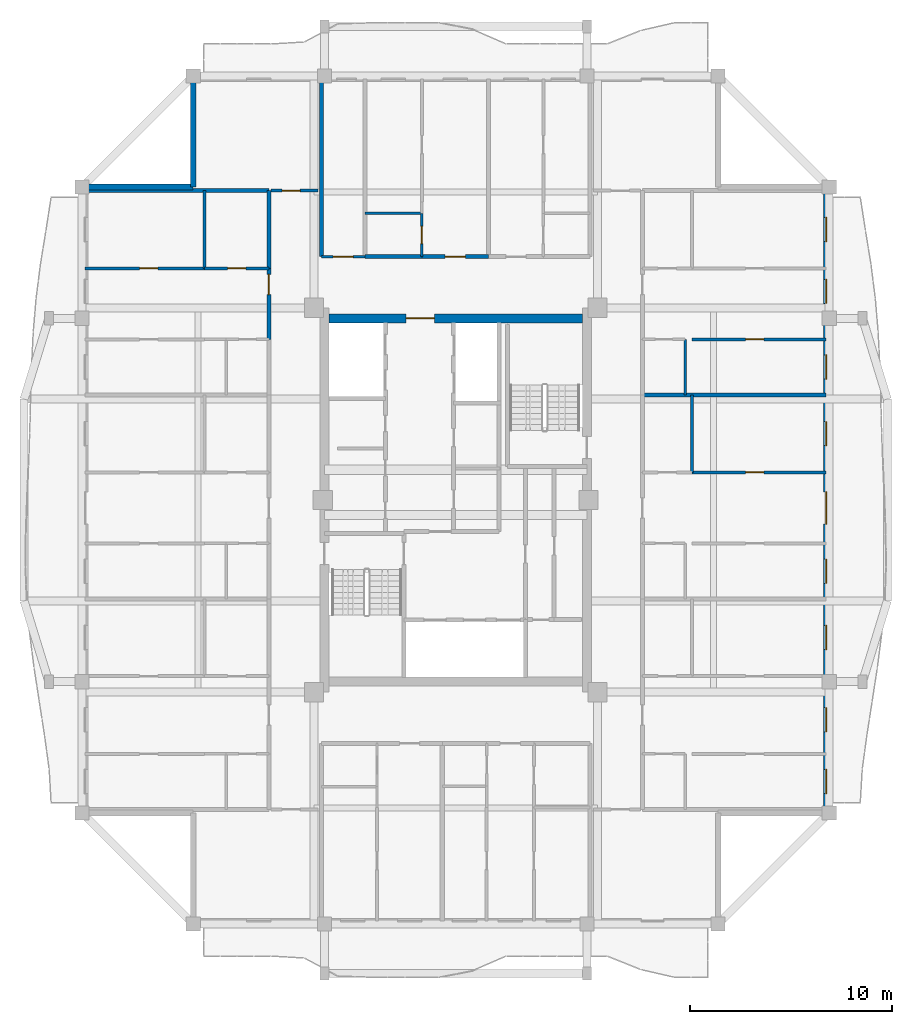
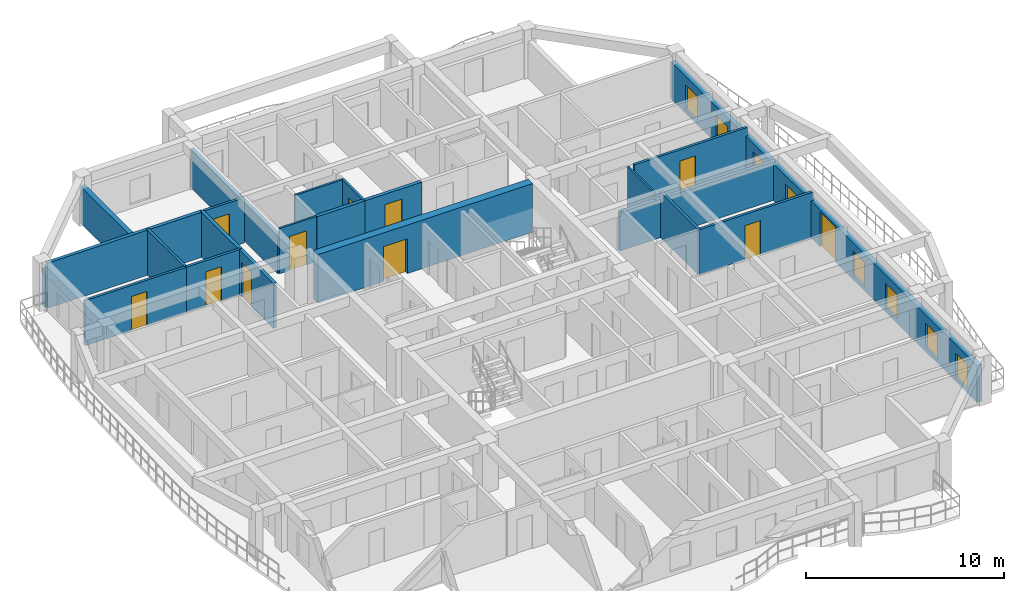
# One storey, part 6 of 14: 22 walls, 11 doors, 8 windows, 19 openings.
"""IFC4 building model written with IfcOpenShell, lengths in metres."""

from ifc_helpers import new_model, si_unit, direction, frame, frame_2d, origin, place, context, subcontext, project, spatial, rectangle, extrude, source, transform, mapped, material, layer, layer_set, type_object, element, fill, save


model = new_model("IFC4")

# Units and contexts
model_context = context("Model", 3, precision=1e-05, world=origin(), true_north=direction((0.0, 1.0)))
body_context = subcontext(model_context, "Body", "Model", "MODEL_VIEW")
ifc_project = project(units=[si_unit("LENGTHUNIT", "METRE"), si_unit("AREAUNIT", "SQUARE_METRE"), si_unit("VOLUMEUNIT", "CUBIC_METRE"), si_unit("PLANEANGLEUNIT", "RADIAN"), si_unit("MASSUNIT", "GRAM", prefix="KILO")], contexts=[model_context])

# Site, building, storey
site_placement = place(None, origin())
site = spatial("IfcSite", under=ifc_project, at=site_placement, CompositionType="ELEMENT")
building_placement = place(site_placement, origin())
building = spatial("IfcBuilding", under=site, at=building_placement, Name="Saelheon Loggia Tower", CompositionType="ELEMENT")
storey_placement = place(building_placement, frame((0.0, 0.0, 210.300048828125)))
storey = spatial("IfcBuildingStorey", under=building, at=storey_placement, Name="L65", CompositionType="ELEMENT", Elevation=210.300048828125)

# Wall, opening, door
ifc_material_1 = material(Name="Concrete C45/55", Category="concrete")
ifc_layer_1 = layer(ifc_material_1, 0.449951171875)
ifc_layer_set_1 = layer_set([ifc_layer_1], Name="Concrete C45/55")
wall_type_1 = type_object("IfcWallType", Name="Wall_CoreShear_450", PredefinedType="SHEAR", material=ifc_layer_set_1)
wall_1_placement = place(storey_placement, frame((31.72509765625, 36.0, 0.0), z_axis=(0.0, 0.0, 1.0), x_axis=(1.0, 0.0, 0.0)))
wall_1 = element("IfcWall", 1, at=wall_1_placement, inside=storey, type_object=wall_type_1, Name="L65 Core Shear Wall North", PredefinedType="SHEAR", context=body_context, shape_type="SweptSolid", body=[
    extrude(rectangle(XDim=12.5498046875, YDim=0.449951171875, at=frame_2d((6.27490234375, 0.0))), origin(), (0.0, 0.0, 1.0), 3.0),
])
opening_1_placement = place(wall_1_placement, frame((5.224853515625, 0.0, 0.0), z_axis=(0.0, 0.0, 1.0), x_axis=(-1.0, 0.0, 0.0)))
opening_1 = element("IfcOpeningElement", 2, at=opening_1_placement, cuts=wall_1, Name="Opening D-FD2L", PredefinedType="OPENING", context=body_context, shape_type="SweptSolid", body=[
    extrude(rectangle(XDim=1.39990234375, YDim=2.14990234375, at=frame_2d((0.699951171875, 1.074951171875))), frame((0.0, 0.237060546875, 0.0), z_axis=(0.0, -1.0, 0.0), x_axis=(1.0, 0.0, 0.0)), (0.0, 0.0, 1.0), 0.473876953125),
])
ifc_material_2 = material(Name="Galvanised Steel Glazed Lobby Fire Door", Category="steel")
door_type_1 = type_object("IfcDoorType", Name="Door_Fire_FD60_1400", OperationType="NOTDEFINED", PredefinedType="DOOR", material=ifc_material_2)
shared_shape_1 = source(origin(), body_context, "Body", "SweptSolid", [
    extrude(rectangle(XDim=1.39990234375, YDim=2.14990234375, at=frame_2d((0.699951171875, 1.074951171875))), frame((0.0, 0.02490234375, 0.0), z_axis=(0.0, -1.0, 0.0), x_axis=(1.0, 0.0, 0.0)), (0.0, 0.0, 1.0), 0.050048828125),
])
door_1_placement = place(opening_1_placement, origin())
door_1 = element("IfcDoor", 3, at=door_1_placement, inside=storey, type_object=door_type_1, Name="L65 Passenger Lift Lobby Main Door", OperationType="SINGLE_SWING_RIGHT", OverallHeight=2.14990234375, OverallWidth=1.39990234375, PredefinedType="DOOR", context=body_context, shape_type="MappedRepresentation", body=[
    mapped(shared_shape_1, transform((0.0, 0.0, 0.0), scale=1.0)),
])
fill(opening_1, door_1)

# Wall, openings, windows, door
ifc_material_3 = material(Name="Architectural Precast Concrete C40/50", Category="concrete")
ifc_layer_2 = layer(ifc_material_3, 0.280029296875)
ifc_layer_set_2 = layer_set([ifc_layer_2], Name="Architectural Precast Concrete C40/50")
wall_type_2 = type_object("IfcWallType", Name="Wall_Ext_Loggia_280", PredefinedType="SOLIDWALL", material=ifc_layer_set_2)
wall_2_placement = place(storey_placement, frame((56.360107421875, 11.5, 0.0), z_axis=(0.0, 0.0, 1.0), x_axis=(0.0, 1.0, 0.0)))
wall_2 = element("IfcWall", 4, at=wall_2_placement, inside=storey, type_object=wall_type_2, Name="L65 East Loggia Inner Wall", PredefinedType="SOLIDWALL", context=body_context, shape_type="SweptSolid", body=[
    extrude(rectangle(XDim=31.0, YDim=0.280029296875, at=frame_2d((15.5, 0.0))), origin(), (0.0, 0.0, 1.0), 2.280029296875),
])
opening_2_placement = place(wall_2_placement, frame((0.9599609375, 0.0, 0.25)))
opening_2 = element("IfcOpeningElement", 5, at=opening_2_placement, cuts=wall_2, Name="Opening WN-03", PredefinedType="OPENING", context=body_context, shape_type="SweptSolid", body=[
    extrude(rectangle(XDim=1.199951171875, YDim=1.5, at=frame_2d((0.60009765625, 0.75))), frame((0.0, 0.152099609375, 0.0), z_axis=(0.0, -1.0, 0.0), x_axis=(1.0, 0.0, 0.0)), (0.0, 0.0, 1.0), 0.303955078125),
])
opening_3_placement = place(wall_2_placement, frame((4.02001953125, 0.0, 0.25)))
opening_3 = element("IfcOpeningElement", 6, at=opening_3_placement, cuts=wall_2, Name="Opening WN-03", PredefinedType="OPENING", context=body_context, shape_type="SweptSolid", body=[
    extrude(rectangle(XDim=1.199951171875, YDim=1.5, at=frame_2d((0.60009765625, 0.75))), frame((0.0, 0.152099609375, 0.0), z_axis=(0.0, -1.0, 0.0), x_axis=(1.0, 0.0, 0.0)), (0.0, 0.0, 1.0), 0.303955078125),
])
opening_4_placement = place(wall_2_placement, frame((8.0888671875, 0.0, 0.25)))
opening_4 = element("IfcOpeningElement", 7, at=opening_4_placement, cuts=wall_2, Name="Opening WN-03", PredefinedType="OPENING", context=body_context, shape_type="SweptSolid", body=[
    extrude(rectangle(XDim=1.199951171875, YDim=1.5, at=frame_2d((0.60009765625, 0.75))), frame((0.0, 0.152099609375, 0.0), z_axis=(0.0, -1.0, 0.0), x_axis=(1.0, 0.0, 0.0)), (0.0, 0.0, 1.0), 0.303955078125),
])
opening_5_placement = place(wall_2_placement, frame((11.37255859375, 0.0, 0.25)))
opening_5 = element("IfcOpeningElement", 8, at=opening_5_placement, cuts=wall_2, Name="Opening WN-03", PredefinedType="OPENING", context=body_context, shape_type="SweptSolid", body=[
    extrude(rectangle(XDim=1.199951171875, YDim=1.5, at=frame_2d((0.60009765625, 0.75))), frame((0.0, 0.152099609375, 0.0), z_axis=(0.0, -1.0, 0.0), x_axis=(1.0, 0.0, 0.0)), (0.0, 0.0, 1.0), 0.303955078125),
])
opening_6_placement = place(wall_2_placement, frame((15.906982421875, 0.0, 0.0), z_axis=(0.0, 0.0, 1.0), x_axis=(-1.0, 0.0, 0.0)))
opening_6 = element("IfcOpeningElement", 9, at=opening_6_placement, cuts=wall_2, Name="Opening DLG-1", PredefinedType="OPENING", context=body_context, shape_type="SweptSolid", body=[
    extrude(rectangle(XDim=1.60009765625, YDim=2.14990234375, at=frame_2d((0.800048828125, 1.074951171875))), frame((0.0, 0.152099609375, 0.0), z_axis=(0.0, -1.0, 0.0), x_axis=(1.0, 0.0, 0.0)), (0.0, 0.0, 1.0), 0.303955078125),
])
opening_7_placement = place(wall_2_placement, frame((18.1875, 0.0, 0.25)))
opening_7 = element("IfcOpeningElement", 10, at=opening_7_placement, cuts=wall_2, Name="Opening WN-03", PredefinedType="OPENING", context=body_context, shape_type="SweptSolid", body=[
    extrude(rectangle(XDim=1.199951171875, YDim=1.5, at=frame_2d((0.60009765625, 0.75))), frame((0.0, 0.152099609375, 0.0), z_axis=(0.0, -1.0, 0.0), x_axis=(1.0, 0.0, 0.0)), (0.0, 0.0, 1.0), 0.303955078125),
])
opening_8_placement = place(wall_2_placement, frame((21.48388671875, 0.0, 0.25)))
opening_8 = element("IfcOpeningElement", 11, at=opening_8_placement, cuts=wall_2, Name="Opening WN-03", PredefinedType="OPENING", context=body_context, shape_type="SweptSolid", body=[
    extrude(rectangle(XDim=1.199951171875, YDim=1.5, at=frame_2d((0.60009765625, 0.75))), frame((0.0, 0.152099609375, 0.0), z_axis=(0.0, -1.0, 0.0), x_axis=(1.0, 0.0, 0.0)), (0.0, 0.0, 1.0), 0.303955078125),
])
opening_9_placement = place(wall_2_placement, frame((25.23388671875, 0.0, 0.25)))
opening_9 = element("IfcOpeningElement", 12, at=opening_9_placement, cuts=wall_2, Name="Opening WN-03", PredefinedType="OPENING", context=body_context, shape_type="SweptSolid", body=[
    extrude(rectangle(XDim=1.199951171875, YDim=1.5, at=frame_2d((0.60009765625, 0.75))), frame((0.0, 0.152099609375, 0.0), z_axis=(0.0, -1.0, 0.0), x_axis=(1.0, 0.0, 0.0)), (0.0, 0.0, 1.0), 0.303955078125),
])
opening_10_placement = place(wall_2_placement, frame((28.293701171875, 0.0, 0.25)))
opening_10 = element("IfcOpeningElement", 13, at=opening_10_placement, cuts=wall_2, Name="Opening WN-03", PredefinedType="OPENING", context=body_context, shape_type="SweptSolid", body=[
    extrude(rectangle(XDim=1.199951171875, YDim=1.5, at=frame_2d((0.60009765625, 0.75))), frame((0.0, 0.152099609375, 0.0), z_axis=(0.0, -1.0, 0.0), x_axis=(1.0, 0.0, 0.0)), (0.0, 0.0, 1.0), 0.303955078125),
])
ifc_material_4 = material(Name="Thermal-Break Aluminium and Triple Low-E Glass", Category="aluminium")
window_type = type_object("IfcWindowType", Name="Win_Bedroom_1200x1500", PartitioningType="SINGLE_PANEL", PredefinedType="WINDOW", material=ifc_material_4)
shared_shape_2 = source(origin(), body_context, "Body", "SweptSolid", [
    extrude(rectangle(XDim=1.199951171875, YDim=1.5, at=frame_2d((0.60009765625, 0.75))), frame((0.0, 0.030029296875, 0.0), z_axis=(0.0, -1.0, 0.0), x_axis=(1.0, 0.0, 0.0)), (0.0, 0.0, 1.0), 0.06005859375),
])
window_1_placement = place(opening_2_placement, origin())
window_1 = element("IfcWindow", 14, at=window_1_placement, inside=storey, type_object=window_type, Name="L65 E Dwelling Window 1", OverallHeight=1.5, OverallWidth=1.199951171875, PartitioningType="SINGLE_PANEL", PredefinedType="WINDOW", context=body_context, shape_type="MappedRepresentation", body=[
    mapped(shared_shape_2, transform((0.0, 0.0, 0.0), scale=1.0)),
])
fill(opening_2, window_1)
window_2_placement = place(opening_3_placement, origin())
window_2 = element("IfcWindow", 15, at=window_2_placement, inside=storey, type_object=window_type, Name="L65 E Dwelling Window 2", OverallHeight=1.5, OverallWidth=1.199951171875, PartitioningType="SINGLE_PANEL", PredefinedType="WINDOW", context=body_context, shape_type="MappedRepresentation", body=[
    mapped(shared_shape_2, transform((0.0, 0.0, 0.0), scale=1.0)),
])
fill(opening_3, window_2)
window_3_placement = place(opening_4_placement, origin())
window_3 = element("IfcWindow", 16, at=window_3_placement, inside=storey, type_object=window_type, Name="L65 E Dwelling Window 3", OverallHeight=1.5, OverallWidth=1.199951171875, PartitioningType="SINGLE_PANEL", PredefinedType="WINDOW", context=body_context, shape_type="MappedRepresentation", body=[
    mapped(shared_shape_2, transform((0.0, 0.0, 0.0), scale=1.0)),
])
fill(opening_4, window_3)
window_4_placement = place(opening_5_placement, origin())
window_4 = element("IfcWindow", 17, at=window_4_placement, inside=storey, type_object=window_type, Name="L65 E Dwelling Window 4", OverallHeight=1.5, OverallWidth=1.199951171875, PartitioningType="SINGLE_PANEL", PredefinedType="WINDOW", context=body_context, shape_type="MappedRepresentation", body=[
    mapped(shared_shape_2, transform((0.0, 0.0, 0.0), scale=1.0)),
])
fill(opening_5, window_4)
window_5_placement = place(opening_7_placement, origin())
window_5 = element("IfcWindow", 18, at=window_5_placement, inside=storey, type_object=window_type, Name="L65 E Dwelling Window 6", OverallHeight=1.5, OverallWidth=1.199951171875, PartitioningType="SINGLE_PANEL", PredefinedType="WINDOW", context=body_context, shape_type="MappedRepresentation", body=[
    mapped(shared_shape_2, transform((0.0, 0.0, 0.0), scale=1.0)),
])
fill(opening_7, window_5)
window_6_placement = place(opening_8_placement, origin())
window_6 = element("IfcWindow", 19, at=window_6_placement, inside=storey, type_object=window_type, Name="L65 E Dwelling Window 7", OverallHeight=1.5, OverallWidth=1.199951171875, PartitioningType="SINGLE_PANEL", PredefinedType="WINDOW", context=body_context, shape_type="MappedRepresentation", body=[
    mapped(shared_shape_2, transform((0.0, 0.0, 0.0), scale=1.0)),
])
fill(opening_8, window_6)
window_7_placement = place(opening_9_placement, origin())
window_7 = element("IfcWindow", 20, at=window_7_placement, inside=storey, type_object=window_type, Name="L65 E Dwelling Window 8", OverallHeight=1.5, OverallWidth=1.199951171875, PartitioningType="SINGLE_PANEL", PredefinedType="WINDOW", context=body_context, shape_type="MappedRepresentation", body=[
    mapped(shared_shape_2, transform((0.0, 0.0, 0.0), scale=1.0)),
])
fill(opening_9, window_7)
window_8_placement = place(opening_10_placement, origin())
window_8 = element("IfcWindow", 21, at=window_8_placement, inside=storey, type_object=window_type, Name="L65 E Dwelling Window 9", OverallHeight=1.5, OverallWidth=1.199951171875, PartitioningType="SINGLE_PANEL", PredefinedType="WINDOW", context=body_context, shape_type="MappedRepresentation", body=[
    mapped(shared_shape_2, transform((0.0, 0.0, 0.0), scale=1.0)),
])
fill(opening_10, window_8)
ifc_material_5 = material(Name="Thermal-Break Aluminium Sliding Glazed Door", Category="aluminium")
door_type_2 = type_object("IfcDoorType", Name="Door_LoggiaSlide_1600", OperationType="SLIDING_TO_LEFT", PredefinedType="DOOR", material=ifc_material_5)
shared_shape_3 = source(origin(), body_context, "Body", "SweptSolid", [
    extrude(rectangle(XDim=1.60009765625, YDim=2.14990234375, at=frame_2d((0.800048828125, 1.074951171875))), frame((0.0, 0.02490234375, 0.0), z_axis=(0.0, -1.0, 0.0), x_axis=(1.0, 0.0, 0.0)), (0.0, 0.0, 1.0), 0.050048828125),
])
door_2_placement = place(opening_6_placement, origin())
door_2 = element("IfcDoor", 22, at=door_2_placement, inside=storey, type_object=door_type_2, Name="L65 E Loggia Access Door", OperationType="SLIDING_TO_LEFT", OverallHeight=2.14990234375, OverallWidth=1.60009765625, PredefinedType="DOOR", context=body_context, shape_type="MappedRepresentation", body=[
    mapped(shared_shape_3, transform((0.0, 0.0, 0.0), scale=1.0)),
])
fill(opening_6, door_2)

# Walls
for number, where, z_axis, x_axis, name in (
    (23, (25.0, 42.5, 0.0), (0.0, 0.0, 1.0), (0.0, 1.0, 0.0), "L65 Corner Notch Precast Wall NW1"),
    (24, (19.580078125, 42.5, 0.0), (0.0, 0.0, 1.0), (1.0, 0.0, 0.0), "L65 Corner Notch Precast Wall NW2"),
):
    element("IfcWall", number, at=place(storey_placement, frame(where, z_axis=z_axis, x_axis=x_axis)), inside=storey, type_object=wall_type_2, Name=name, PredefinedType="SOLIDWALL", context=body_context, shape_type="SweptSolid", body=[
        extrude(rectangle(XDim=5.419921875, YDim=0.280029296875, at=frame_2d((2.7099609375, 0.0))), origin(), (0.0, 0.0, 1.0), 2.280029296875),
    ])

# Wall, opening, door
ifc_material_6 = material(Name="Lightweight Autoclaved Aerated Concrete Block and Acoustic Gypsum", Category="concrete")
ifc_layer_3 = layer(ifc_material_6, 0.14990234375)
ifc_layer_set_3 = layer_set([ifc_layer_3], Name="Lightweight Autoclaved Aerated Concrete Block and Acoustic Gypsum")
wall_type_3 = type_object("IfcWallType", Name="Wall_Part_150", PredefinedType="PARTITIONING", material=ifc_layer_set_3)
wall_3_placement = place(storey_placement, frame((28.85009765625, 42.320068359375, 0.0), z_axis=(0.0, 0.0, 1.0), x_axis=(1.0, 0.0, 0.0)))
wall_3 = element("IfcWall", 25, at=wall_3_placement, inside=storey, type_object=wall_type_3, Name="PW-L65-CNW-H", PredefinedType="PARTITIONING", context=body_context, shape_type="SweptSolid", body=[
    extrude(rectangle(XDim=2.329833984375, YDim=0.14990234375, at=frame_2d((1.1650390625, 0.0))), origin(), (0.0, 0.0, 1.0), 2.7900390625),
])
opening_11_placement = place(wall_3_placement, frame((0.550048828125, 0.0, 0.0)))
opening_11 = element("IfcOpeningElement", 26, at=opening_11_placement, cuts=wall_3, Name="Opening D-IN2", PredefinedType="OPENING", context=body_context, shape_type="SweptSolid", body=[
    extrude(rectangle(XDim=0.89990234375, YDim=2.10009765625, at=frame_2d((0.449951171875, 1.050048828125))), frame((0.0, 0.0869140625, 0.0), z_axis=(0.0, -1.0, 0.0), x_axis=(1.0, 0.0, 0.0)), (0.0, 0.0, 1.0), 0.173828125),
])
ifc_material_7 = material(Name="Engineered Oak Flush Door", Category="timber")
door_type_3 = type_object("IfcDoorType", Name="Door_Int_900", OperationType="NOTDEFINED", PredefinedType="DOOR", material=ifc_material_7)
shared_shape_4 = source(origin(), body_context, "Body", "SweptSolid", [
    extrude(rectangle(XDim=0.89990234375, YDim=2.10009765625, at=frame_2d((0.449951171875, 1.050048828125))), frame((0.0, 0.02490234375, 0.0), z_axis=(0.0, -1.0, 0.0), x_axis=(1.0, 0.0, 0.0)), (0.0, 0.0, 1.0), 0.050048828125),
])
door_3_placement = place(opening_11_placement, origin())
door_3 = element("IfcDoor", 27, at=door_3_placement, inside=storey, type_object=door_type_3, Name="L65 Corner Home Office NW Door", OperationType="SINGLE_SWING_LEFT", OverallHeight=2.10009765625, OverallWidth=0.89990234375, PredefinedType="DOOR", context=body_context, shape_type="MappedRepresentation", body=[
    mapped(shared_shape_4, transform((0.0, 0.0, 0.0), scale=1.0)),
])
fill(opening_11, door_3)

# Wall
wall_4_placement = place(storey_placement, frame((25.570068359375, 38.477783203125, 0.0), z_axis=(0.0, 0.0, 1.0), x_axis=(0.0, 1.0, 0.0)))
element("IfcWall", 28, at=wall_4_placement, inside=storey, type_object=wall_type_3, Name="L65 W Partition V29", PredefinedType="PARTITIONING", context=body_context, shape_type="SweptSolid", body=[
    extrude(rectangle(XDim=3.84228515625, YDim=0.14990234375, at=frame_2d((1.921142578125, 0.0))), origin(), (0.0, 0.0, 1.0), 2.7900390625),
])

# Wall, opening, door
wall_5_placement = place(storey_placement, frame((28.75, 38.477783203125, 0.0), z_axis=(0.0, 0.0, 1.0), x_axis=(-1.0, 0.0, 0.0)))
wall_5 = element("IfcWall", 29, at=wall_5_placement, inside=storey, type_object=wall_type_3, Name="L65 W Partition U33", PredefinedType="PARTITIONING", context=body_context, shape_type="SweptSolid", body=[
    extrude(rectangle(XDim=3.179931640625, YDim=0.14990234375, at=frame_2d((1.58984375, 0.0))), origin(), (0.0, 0.0, 1.0), 2.7900390625),
])
opening_12_placement = place(wall_5_placement, frame((1.139892578125, 0.0, 0.0)))
opening_12 = element("IfcOpeningElement", 30, at=opening_12_placement, cuts=wall_5, Name="Opening D-IN2", PredefinedType="OPENING", context=body_context, shape_type="SweptSolid", body=[
    extrude(rectangle(XDim=0.89990234375, YDim=2.10009765625, at=frame_2d((0.449951171875, 1.050048828125))), frame((0.0, 0.0869140625, 0.0), z_axis=(0.0, -1.0, 0.0), x_axis=(1.0, 0.0, 0.0)), (0.0, 0.0, 1.0), 0.173828125),
])
door_4_placement = place(opening_12_placement, origin())
door_4 = element("IfcDoor", 31, at=door_4_placement, inside=storey, type_object=door_type_3, Name="Unit U07 Dressing Closet Door", OperationType="SINGLE_SWING_RIGHT", OverallHeight=2.10009765625, OverallWidth=0.89990234375, PredefinedType="DOOR", context=body_context, shape_type="MappedRepresentation", body=[
    mapped(shared_shape_4, transform((0.0, 0.0, 0.0), scale=1.0)),
])
fill(opening_12, door_4)

wall_6_placement = place(storey_placement, frame((25.570068359375, 38.477783203125, 0.0), z_axis=(0.0, 0.0, 1.0), x_axis=(-1.0, 0.0, 0.0)))
wall_6 = element("IfcWall", 32, at=wall_6_placement, inside=storey, type_object=wall_type_3, Name="L65 W Partition U34", PredefinedType="PARTITIONING", context=body_context, shape_type="SweptSolid", body=[
    extrude(rectangle(XDim=5.920166015625, YDim=0.14990234375, at=frame_2d((2.9599609375, 0.0))), origin(), (0.0, 0.0, 1.0), 2.7900390625),
])
opening_13_placement = place(wall_6_placement, frame((2.32080078125, 0.0, 0.0)))
opening_13 = element("IfcOpeningElement", 33, at=opening_13_placement, cuts=wall_6, Name="Opening D-IN2", PredefinedType="OPENING", context=body_context, shape_type="SweptSolid", body=[
    extrude(rectangle(XDim=0.89990234375, YDim=2.10009765625, at=frame_2d((0.449951171875, 1.050048828125))), frame((0.0, 0.0869140625, 0.0), z_axis=(0.0, -1.0, 0.0), x_axis=(1.0, 0.0, 0.0)), (0.0, 0.0, 1.0), 0.173828125),
])
door_5_placement = place(opening_13_placement, origin())
door_5 = element("IfcDoor", 34, at=door_5_placement, inside=storey, type_object=door_type_3, Name="Unit U07 Bedroom 1 Door", OperationType="SINGLE_SWING_LEFT", OverallHeight=2.10009765625, OverallWidth=0.89990234375, PredefinedType="DOOR", context=body_context, shape_type="MappedRepresentation", body=[
    mapped(shared_shape_4, transform((0.0, 0.0, 0.0), scale=1.0)),
])
fill(opening_13, door_5)

# Wall
wall_7_placement = place(storey_placement, frame((49.7099609375, 28.366455078125, 0.0), z_axis=(0.0, 0.0, 1.0), x_axis=(0.0, 1.0, 0.0)))
element("IfcWall", 35, at=wall_7_placement, inside=storey, type_object=wall_type_3, Name="L65 E Partition V17", PredefinedType="PARTITIONING", context=body_context, shape_type="SweptSolid", body=[
    extrude(rectangle(XDim=3.84228515625, YDim=0.14990234375, at=frame_2d((1.921142578125, 0.0))), origin(), (0.0, 0.0, 1.0), 2.7900390625),
])

# Wall, opening, door
wall_8_placement = place(storey_placement, frame((49.7099609375, 28.366455078125, 0.0), z_axis=(0.0, 0.0, 1.0), x_axis=(1.0, 0.0, 0.0)))
wall_8 = element("IfcWall", 36, at=wall_8_placement, inside=storey, type_object=wall_type_3, Name="L65 E Partition U21", PredefinedType="PARTITIONING", context=body_context, shape_type="SweptSolid", body=[
    extrude(rectangle(XDim=6.64013671875, YDim=0.14990234375, at=frame_2d((3.320068359375, 0.0))), origin(), (0.0, 0.0, 1.0), 2.7900390625),
])
opening_14_placement = place(wall_8_placement, frame((2.65087890625, 0.0, 0.0)))
opening_14 = element("IfcOpeningElement", 37, at=opening_14_placement, cuts=wall_8, Name="Opening D-IN2", PredefinedType="OPENING", context=body_context, shape_type="SweptSolid", body=[
    extrude(rectangle(XDim=0.89990234375, YDim=2.10009765625, at=frame_2d((0.449951171875, 1.050048828125))), frame((0.0, 0.0869140625, 0.0), z_axis=(0.0, -1.0, 0.0), x_axis=(1.0, 0.0, 0.0)), (0.0, 0.0, 1.0), 0.173828125),
])
door_6_placement = place(opening_14_placement, origin())
door_6 = element("IfcDoor", 38, at=door_6_placement, inside=storey, type_object=door_type_3, Name="Unit U09 Bedroom 1 Door", OperationType="SINGLE_SWING_LEFT", OverallHeight=2.10009765625, OverallWidth=0.89990234375, PredefinedType="DOOR", context=body_context, shape_type="MappedRepresentation", body=[
    mapped(shared_shape_4, transform((0.0, 0.0, 0.0), scale=1.0)),
])
fill(opening_14, door_6)

wall_9_placement = place(storey_placement, frame((49.7099609375, 34.958740234375, 0.0), z_axis=(0.0, 0.0, 1.0), x_axis=(1.0, 0.0, 0.0)))
wall_9 = element("IfcWall", 39, at=wall_9_placement, inside=storey, type_object=wall_type_3, Name="L65 E Partition U29", PredefinedType="PARTITIONING", context=body_context, shape_type="SweptSolid", body=[
    extrude(rectangle(XDim=6.64013671875, YDim=0.14990234375, at=frame_2d((3.320068359375, 0.0))), origin(), (0.0, 0.0, 1.0), 2.7900390625),
])
opening_15_placement = place(wall_9_placement, frame((2.65087890625, 0.0, 0.0)))
opening_15 = element("IfcOpeningElement", 40, at=opening_15_placement, cuts=wall_9, Name="Opening D-IN2", PredefinedType="OPENING", context=body_context, shape_type="SweptSolid", body=[
    extrude(rectangle(XDim=0.89990234375, YDim=2.10009765625, at=frame_2d((0.449951171875, 1.050048828125))), frame((0.0, 0.0869140625, 0.0), z_axis=(0.0, -1.0, 0.0), x_axis=(1.0, 0.0, 0.0)), (0.0, 0.0, 1.0), 0.173828125),
])
door_7_placement = place(opening_15_placement, origin())
door_7 = element("IfcDoor", 41, at=door_7_placement, inside=storey, type_object=door_type_3, Name="Unit U10 Kitchen Door", OperationType="SINGLE_SWING_RIGHT", OverallHeight=2.10009765625, OverallWidth=0.89990234375, PredefinedType="DOOR", context=body_context, shape_type="MappedRepresentation", body=[
    mapped(shared_shape_4, transform((0.0, 0.0, 0.0), scale=1.0)),
])
fill(opening_15, door_7)

# Walls
ifc_material_8 = material(Name="Double Acoustic Stud and Fireboard Partition", Category="gypsum")
ifc_layer_4 = layer(ifc_material_8, 0.199951171875)
ifc_layer_set_4 = layer_set([ifc_layer_4], Name="Double Acoustic Stud and Fireboard Partition")
wall_type_4 = type_object("IfcWallType", Name="Wall_Party_200", PredefinedType="PARTITIONING", material=ifc_layer_set_4)
wall_10_placement = place(storey_placement, frame((31.35009765625, 39.050048828125, 0.0), z_axis=(0.0, 0.0, 1.0), x_axis=(0.0, 1.0, 0.0)))
element("IfcWall", 42, at=wall_10_placement, inside=storey, type_object=wall_type_4, Name="L65 N Partition U01", PredefinedType="PARTITIONING", context=body_context, shape_type="SweptSolid", body=[
    extrude(rectangle(XDim=8.800048828125, YDim=0.199951171875, at=frame_2d((4.39990234375, 0.0))), origin(), (0.0, 0.0, 1.0), 2.389892578125),
])
wall_11_placement = place(storey_placement, frame((33.5, 39.050048828125, 0.0), z_axis=(0.0, 0.0, 1.0), x_axis=(1.0, 0.0, 0.0)))
element("IfcWall", 43, at=wall_11_placement, inside=storey, type_object=wall_type_4, Name="L65 N Partition V05", PredefinedType="PARTITIONING", context=body_context, shape_type="SweptSolid", body=[
    extrude(rectangle(XDim=2.821044921875, YDim=0.199951171875, at=frame_2d((1.41064453125, 0.0))), origin(), (0.0, 0.0, 1.0), 2.7900390625),
])

# Wall, opening, door
wall_12_placement = place(storey_placement, frame((36.321044921875, 39.050048828125, 0.0), z_axis=(0.0, 0.0, 1.0), x_axis=(1.0, 0.0, 0.0)))
wall_12 = element("IfcWall", 44, at=wall_12_placement, inside=storey, type_object=wall_type_4, Name="L65 N Partition V06", PredefinedType="PARTITIONING", context=body_context, shape_type="SweptSolid", body=[
    extrude(rectangle(XDim=3.3115234375, YDim=0.199951171875, at=frame_2d((1.65576171875, 0.0))), origin(), (0.0, 0.0, 1.0), 2.7900390625),
])
opening_16_placement = place(wall_12_placement, frame((1.15576171875, 0.0, 0.0)))
opening_16 = element("IfcOpeningElement", 45, at=opening_16_placement, cuts=wall_12, Name="Opening D-FD1", PredefinedType="OPENING", context=body_context, shape_type="SweptSolid", body=[
    extrude(rectangle(XDim=1.0, YDim=2.14990234375, at=frame_2d((0.5, 1.074951171875))), frame((0.0, 0.112060546875, 0.0), z_axis=(0.0, -1.0, 0.0), x_axis=(1.0, 0.0, 0.0)), (0.0, 0.0, 1.0), 0.223876953125),
])
ifc_material_9 = material(Name="Fire-Rated Engineered Timber Entrance Door", Category="wood")
door_type_4 = type_object("IfcDoorType", Name="Door_Flat_FD30S", OperationType="NOTDEFINED", PredefinedType="DOOR", material=ifc_material_9)
shared_shape_5 = source(origin(), body_context, "Body", "SweptSolid", [
    extrude(rectangle(XDim=1.0, YDim=2.14990234375, at=frame_2d((0.5, 1.074951171875))), frame((0.0, 0.02490234375, 0.0), z_axis=(0.0, -1.0, 0.0), x_axis=(1.0, 0.0, 0.0)), (0.0, 0.0, 1.0), 0.050048828125),
])
door_8_placement = place(opening_16_placement, origin())
door_8 = element("IfcDoor", 46, at=door_8_placement, inside=storey, type_object=door_type_4, Name="Unit U03 Entrance Door", OperationType="SINGLE_SWING_LEFT", OverallHeight=2.14990234375, OverallWidth=1.0, PredefinedType="DOOR", context=body_context, shape_type="MappedRepresentation", body=[
    mapped(shared_shape_5, transform((0.0, 0.0, 0.0), scale=1.0)),
])
fill(opening_16, door_8)

# Wall
wall_13_placement = place(storey_placement, frame((28.75, 42.320068359375, 0.0), z_axis=(0.0, 0.0, 1.0), x_axis=(-1.0, 0.0, 0.0)))
element("IfcWall", 47, at=wall_13_placement, inside=storey, type_object=wall_type_4, Name="L65 W Partition U02", PredefinedType="PARTITIONING", context=body_context, shape_type="SweptSolid", body=[
    extrude(rectangle(XDim=9.10009765625, YDim=0.199951171875, at=frame_2d((4.550048828125, 0.0))), origin(), (0.0, 0.0, 1.0), 2.7900390625),
])

# Wall, opening, door
wall_14_placement = place(storey_placement, frame((28.75, 34.958740234375, 0.0), z_axis=(0.0, 0.0, 1.0), x_axis=(0.0, 1.0, 0.0)))
wall_14 = element("IfcWall", 48, at=wall_14_placement, inside=storey, type_object=wall_type_4, Name="L65 W Partition V26", PredefinedType="PARTITIONING", context=body_context, shape_type="SweptSolid", body=[
    extrude(rectangle(XDim=3.51904296875, YDim=0.199951171875, at=frame_2d((1.759521484375, 0.0))), origin(), (0.0, 0.0, 1.0), 2.7900390625),
])
opening_17_placement = place(wall_14_placement, frame((2.21728515625, 0.0, 0.0)))
opening_17 = element("IfcOpeningElement", 49, at=opening_17_placement, cuts=wall_14, Name="Opening D-FD1", PredefinedType="OPENING", context=body_context, shape_type="SweptSolid", body=[
    extrude(rectangle(XDim=1.0, YDim=2.14990234375, at=frame_2d((0.5, 1.074951171875))), frame((0.0, 0.112060546875, 0.0), z_axis=(0.0, -1.0, 0.0), x_axis=(1.0, 0.0, 0.0)), (0.0, 0.0, 1.0), 0.223876953125),
])
door_9_placement = place(opening_17_placement, origin())
door_9 = element("IfcDoor", 50, at=door_9_placement, inside=storey, type_object=door_type_4, Name="Unit U07 Entrance Door", OperationType="SINGLE_SWING_LEFT", OverallHeight=2.14990234375, OverallWidth=1.0, PredefinedType="DOOR", context=body_context, shape_type="MappedRepresentation", body=[
    mapped(shared_shape_5, transform((0.0, 0.0, 0.0), scale=1.0)),
])
fill(opening_17, door_9)

# Walls
wall_15_placement = place(storey_placement, frame((28.75, 38.477783203125, 0.0), z_axis=(0.0, 0.0, 1.0), x_axis=(0.0, 1.0, 0.0)))
element("IfcWall", 51, at=wall_15_placement, inside=storey, type_object=wall_type_4, Name="L65 W Partition V27", PredefinedType="PARTITIONING", context=body_context, shape_type="SweptSolid", body=[
    extrude(rectangle(XDim=3.84228515625, YDim=0.199951171875, at=frame_2d((1.921142578125, 0.0))), origin(), (0.0, 0.0, 1.0), 2.7900390625),
])
wall_16_placement = place(storey_placement, frame((47.25, 32.208740234375, 0.0), z_axis=(0.0, 0.0, 1.0), x_axis=(1.0, 0.0, 0.0)))
element("IfcWall", 52, at=wall_16_placement, inside=storey, type_object=wall_type_4, Name="L65 E Partition U22", PredefinedType="PARTITIONING", context=body_context, shape_type="SweptSolid", body=[
    extrude(rectangle(XDim=9.10009765625, YDim=0.199951171875, at=frame_2d((4.550048828125, 0.0))), origin(), (0.0, 0.0, 1.0), 2.389892578125),
])

# Wall, opening, door
ifc_material_10 = material(Name="Moisture-Resistant Cement Board Partition", Category="gypsum")
ifc_layer_5 = layer(ifc_material_10, 0.1201171875)
ifc_layer_set_5 = layer_set([ifc_layer_5], Name="Moisture-Resistant Cement Board Partition")
wall_type_5 = type_object("IfcWallType", Name="Wall_WetPart_120", PredefinedType="PARTITIONING", material=ifc_layer_set_5)
wall_17_placement = place(storey_placement, frame((31.35009765625, 39.050048828125, 0.0), z_axis=(0.0, 0.0, 1.0), x_axis=(1.0, 0.0, 0.0)))
wall_17 = element("IfcWall", 53, at=wall_17_placement, inside=storey, type_object=wall_type_5, Name="L65 N Partition V04", PredefinedType="PARTITIONING", context=body_context, shape_type="SweptSolid", body=[
    extrude(rectangle(XDim=2.14990234375, YDim=0.1201171875, at=frame_2d((1.074951171875, 0.0))), origin(), (0.0, 0.0, 1.0), 2.7900390625),
])
opening_18_placement = place(wall_17_placement, frame((0.574951171875, 0.0, 0.0)))
opening_18 = element("IfcOpeningElement", 54, at=opening_18_placement, cuts=wall_17, Name="Opening D-AC1", PredefinedType="OPENING", context=body_context, shape_type="SweptSolid", body=[
    extrude(rectangle(XDim=1.0, YDim=2.10009765625, at=frame_2d((0.5, 1.050048828125))), frame((0.0, 0.072021484375, 0.0), z_axis=(0.0, -1.0, 0.0), x_axis=(1.0, 0.0, 0.0)), (0.0, 0.0, 1.0), 0.14404296875),
])
ifc_material_11 = material(Name="Accessible Laminate Flush Door", Category="timber")
door_type_5 = type_object("IfcDoorType", Name="Door_Acc_1000", OperationType="NOTDEFINED", PredefinedType="DOOR", material=ifc_material_11)
shared_shape_6 = source(origin(), body_context, "Body", "SweptSolid", [
    extrude(rectangle(XDim=1.0, YDim=2.10009765625, at=frame_2d((0.5, 1.050048828125))), frame((0.0, 0.02490234375, 0.0), z_axis=(0.0, -1.0, 0.0), x_axis=(1.0, 0.0, 0.0)), (0.0, 0.0, 1.0), 0.050048828125),
])
door_10_placement = place(opening_18_placement, origin())
door_10 = element("IfcDoor", 55, at=door_10_placement, inside=storey, type_object=door_type_5, Name="L65 Floor Accessible WC Door", OperationType="SINGLE_SWING_RIGHT", OverallHeight=2.10009765625, OverallWidth=1.0, PredefinedType="DOOR", context=body_context, shape_type="MappedRepresentation", body=[
    mapped(shared_shape_6, transform((0.0, 0.0, 0.0), scale=1.0)),
])
fill(opening_18, door_10)

wall_18_placement = place(storey_placement, frame((36.321044921875, 39.050048828125, 0.0), z_axis=(0.0, 0.0, 1.0), x_axis=(0.0, 1.0, 0.0)))
wall_18 = element("IfcWall", 56, at=wall_18_placement, inside=storey, type_object=wall_type_5, Name="L65 N Partition U07", PredefinedType="PARTITIONING", context=body_context, shape_type="SweptSolid", body=[
    extrude(rectangle(XDim=2.14990234375, YDim=0.1201171875, at=frame_2d((1.074951171875, 0.0))), origin(), (0.0, 0.0, 1.0), 2.7900390625),
])
opening_19_placement = place(wall_18_placement, frame((0.64990234375, 0.0, 0.0)))
opening_19 = element("IfcOpeningElement", 57, at=opening_19_placement, cuts=wall_18, Name="Opening D-BT1", PredefinedType="OPENING", context=body_context, shape_type="SweptSolid", body=[
    extrude(rectangle(XDim=0.85009765625, YDim=2.050048828125, at=frame_2d((0.425048828125, 1.02490234375))), frame((0.0, 0.072021484375, 0.0), z_axis=(0.0, -1.0, 0.0), x_axis=(1.0, 0.0, 0.0)), (0.0, 0.0, 1.0), 0.14404296875),
])
ifc_material_12 = material(Name="Moisture-Resistant Laminate Timber Door", Category="wood")
door_type_6 = type_object("IfcDoorType", Name="Door_Bath_850", OperationType="NOTDEFINED", PredefinedType="DOOR", material=ifc_material_12)
shared_shape_7 = source(origin(), body_context, "Body", "SweptSolid", [
    extrude(rectangle(XDim=0.85009765625, YDim=2.050048828125, at=frame_2d((0.425048828125, 1.02490234375))), frame((0.0, 0.02490234375, 0.0), z_axis=(0.0, -1.0, 0.0), x_axis=(1.0, 0.0, 0.0)), (0.0, 0.0, 1.0), 0.050048828125),
])
door_11_placement = place(opening_19_placement, origin())
door_11 = element("IfcDoor", 58, at=door_11_placement, inside=storey, type_object=door_type_6, Name="Unit U03 Bathroom Door", OperationType="SINGLE_SWING_RIGHT", OverallHeight=2.050048828125, OverallWidth=0.85009765625, PredefinedType="DOOR", context=body_context, shape_type="MappedRepresentation", body=[
    mapped(shared_shape_7, transform((0.0, 0.0, 0.0), scale=1.0)),
])
fill(opening_19, door_11)

# Walls
wall_19_placement = place(storey_placement, frame((33.5, 41.199951171875, 0.0), z_axis=(0.0, 0.0, 1.0), x_axis=(1.0, 0.0, 0.0)))
element("IfcWall", 59, at=wall_19_placement, inside=storey, type_object=wall_type_5, Name="L65 N Partition V09", PredefinedType="PARTITIONING", context=body_context, shape_type="SweptSolid", body=[
    extrude(rectangle(XDim=2.821044921875, YDim=0.1201171875, at=frame_2d((1.41064453125, 0.0))), origin(), (0.0, 0.0, 1.0), 2.7900390625),
])
wall_20_placement = place(storey_placement, frame((49.3701171875, 32.208740234375, 0.0), z_axis=(0.0, 0.0, 1.0), x_axis=(0.0, 1.0, 0.0)))
element("IfcWall", 60, at=wall_20_placement, inside=storey, type_object=wall_type_5, Name="L65 E Partition V26", PredefinedType="PARTITIONING", context=body_context, shape_type="SweptSolid", body=[
    extrude(rectangle(XDim=2.75, YDim=0.1201171875, at=frame_2d((1.375, 0.0))), origin(), (0.0, 0.0, 1.0), 2.7900390625),
])

save(model, "model.ifc")
